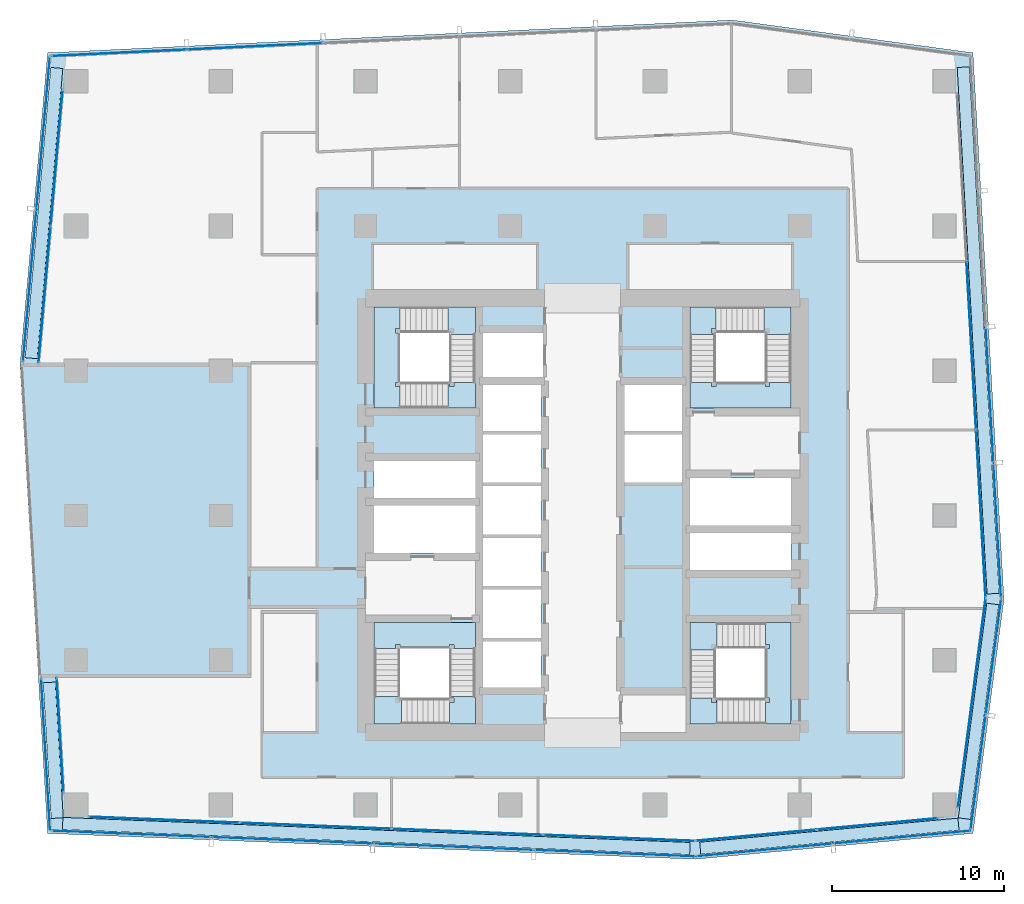
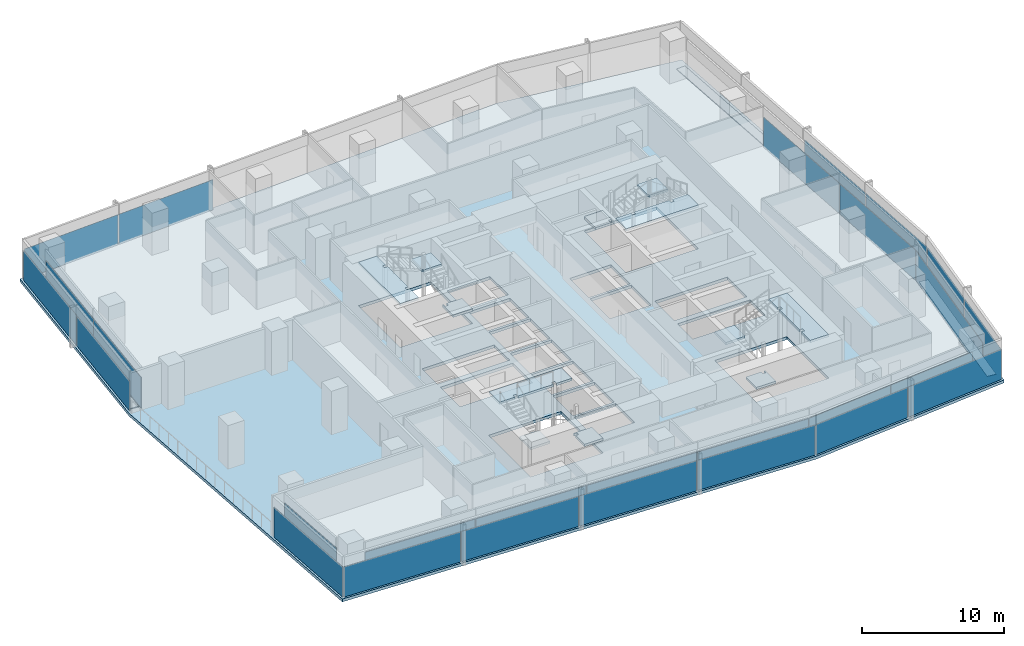
# One storey, part 25 of 39: 33 plates, 13 slabs, 17 elements without a shape of their own.
"""IFC4 building model written with IfcOpenShell, lengths in metres."""

import ifcopenshell
import ifcopenshell.guid

model = None  # the IFC model being written
_history = None  # IfcOwnerHistory: only IFC2X3 demands one
_inside = {}  # id of a spatial element -> (the spatial element, [elements in it])
_under = {}  # id of a project, library or spatial element -> (it, [spatial elements below it])
_declared = {}  # id of a project -> (the project, [libraries it declares])
_typed = {}  # id of a type object -> (the type object, [elements of that type])
_made_of = {}  # id of a material, layer set ... -> (it, [elements and type objects made of it])


def new_model(schema):
    """Start an empty IFC model of exactly this schema.

    Asked for "IFC4X3", IfcOpenShell would pick the latest addendum, in which some entities
    have other attributes; the version numbers below select the first issue.
    IFC2X3 requires an IfcOwnerHistory on every rooted entity: one is made here for all.
    """
    global model, _history
    if schema == "IFC4X3":
        model = ifcopenshell.file(schema_version=(4, 3, 0, 0))
    else:
        model = ifcopenshell.file(schema=schema)
    _inside.clear()
    _under.clear()
    _declared.clear()
    _typed.clear()
    _made_of.clear()
    _history = None
    if model.schema == "IFC2X3":
        org = make("IfcOrganization", Name="unknown")
        user = make(
            "IfcPersonAndOrganization",
            ThePerson=make("IfcPerson", FamilyName="unknown"),
            TheOrganization=org,
        )
        app = make(
            "IfcApplication",
            ApplicationDeveloper=org,
            Version="unknown",
            ApplicationFullName="unknown",
            ApplicationIdentifier="unknown",
        )
        _history = make(
            "IfcOwnerHistory",
            OwningUser=user,
            OwningApplication=app,
            ChangeAction="ADDED",
            CreationDate=0,
        )
    return model


def make(cls, **values):
    """One entity of the class cls with the attributes given. An attribute that is None is left unset."""
    return model.create_entity(
        cls, **{name: value for name, value in values.items() if value is not None}
    )


def rooted(cls, **values):
    """An entity with a GlobalId (a new one), such as an element, a storey or a relation."""
    return make(cls, GlobalId=ifcopenshell.guid.new(), OwnerHistory=_history, **values)


def si_unit(unit_type, name, prefix=None):
    """IfcSIUnit, for example si_unit("LENGTHUNIT", "METRE", prefix="MILLI")."""
    return make("IfcSIUnit", UnitType=unit_type, Prefix=prefix, Name=name)


def assignment(units):
    """IfcUnitAssignment: the units of a project."""
    return None if units is None else make("IfcUnitAssignment", Units=units)


def point(xyz):
    """IfcCartesianPoint."""
    return None if xyz is None else make("IfcCartesianPoint", Coordinates=xyz)


def direction(xyz):
    """IfcDirection."""
    return None if xyz is None else make("IfcDirection", DirectionRatios=xyz)


def frame(location, z_axis=None, x_axis=None):
    """IfcAxis2Placement3D, a coordinate frame: its origin and axes. An axis left out is left unset."""
    return make(
        "IfcAxis2Placement3D",
        Location=point(location),
        Axis=direction(z_axis),
        RefDirection=direction(x_axis),
    )


def frame_2d(location, x_axis=None):
    """IfcAxis2Placement2D, a coordinate frame in the plane: its origin and x axis."""
    return make(
        "IfcAxis2Placement2D", Location=point(location), RefDirection=direction(x_axis)
    )


def origin():
    """The frame at (0, 0, 0) with its axes left unset."""
    return frame((0.0, 0.0, 0.0))


def origin_2d():
    """The frame at (0, 0) in the plane with its x axis left unset."""
    return frame_2d((0.0, 0.0))


def place(relative_to, where):
    """IfcLocalPlacement: puts the frame where relative to a parent placement (None: the world)."""
    return make(
        "IfcLocalPlacement", PlacementRelTo=relative_to, RelativePlacement=where
    )


def context(
    kind, dimensions, precision=None, world=None, true_north=None, identifier=None
):
    """IfcGeometricRepresentationContext, for example the 3D "Model" context."""
    return make(
        "IfcGeometricRepresentationContext",
        ContextIdentifier=identifier,
        ContextType=kind,
        CoordinateSpaceDimension=dimensions,
        Precision=precision,
        WorldCoordinateSystem=world,
        TrueNorth=true_north,
    )


def subcontext(parent, identifier, kind, view, scale=None):
    """IfcGeometricRepresentationSubContext, for example "Body" below "Model"."""
    return make(
        "IfcGeometricRepresentationSubContext",
        ContextIdentifier=identifier,
        ContextType=kind,
        ParentContext=parent,
        TargetScale=scale,
        TargetView=view,
    )


def project(units=None, contexts=None):
    """IfcProject with its units and contexts."""
    return rooted(
        "IfcProject",
        Name="project",
        RepresentationContexts=contexts,
        UnitsInContext=assignment(units),
    )


def spatial(cls, under=None, at=None, **own):
    """A site, building, storey or space (cls), placed at a placement, below another one or the project."""
    s = rooted(cls, ObjectPlacement=at, **own)
    if under is not None:
        _under.setdefault(under.id(), (under, []))[1].append(s)
    return s


def polyline(points):
    """IfcPolyline through the points."""
    return make("IfcPolyline", Points=[point(p) for p in points])


def profile(cls, at=None, kind="AREA", **sizes):
    """A parametric profile (cls). Its sizes go by their IFC names, for example OverallWidth=200.0."""
    return make(cls, ProfileType=kind, Position=at, **sizes)


def rectangle(**sizes):
    """IfcRectangleProfileDef."""
    return profile("IfcRectangleProfileDef", **sizes)


def outline(outer, holes=None, kind="AREA"):
    """IfcArbitraryClosedProfileDef: a profile drawn as a closed curve; with holes, ...WithVoids."""
    if holes is None:
        return make("IfcArbitraryClosedProfileDef", ProfileType=kind, OuterCurve=outer)
    return make(
        "IfcArbitraryProfileDefWithVoids",
        ProfileType=kind,
        OuterCurve=outer,
        InnerCurves=holes,
    )


def extrude(swept, where, along, depth):
    """IfcExtrudedAreaSolid: the profile swept, set in the frame where, extruded along a direction by depth."""
    return make(
        "IfcExtrudedAreaSolid",
        SweptArea=swept,
        Position=where,
        ExtrudedDirection=direction(along),
        Depth=depth,
    )


def shape(context_of_items, identifier, shape_type, items):
    """IfcShapeRepresentation: the items that make up one representation, for example the "Body"."""
    return make(
        "IfcShapeRepresentation",
        ContextOfItems=context_of_items,
        RepresentationIdentifier=identifier,
        RepresentationType=shape_type,
        Items=items,
    )


def material(Name=None, Category=None):
    """IfcMaterial."""
    return make("IfcMaterial", Name=Name, Category=Category)


def layer(
    of_material, thickness, ventilated=None, Name=None, Category=None, Priority=None
):
    """IfcMaterialLayer: one layer of a wall or slab, of a material (None: an air gap)."""
    return make(
        "IfcMaterialLayer",
        Material=of_material,
        LayerThickness=thickness,
        IsVentilated=ventilated,
        Name=Name,
        Category=Category,
        Priority=Priority,
    )


def layer_set(layers, Name=None):
    """IfcMaterialLayerSet."""
    return make("IfcMaterialLayerSet", MaterialLayers=layers, LayerSetName=Name)


def made_of(thing, what):
    """Note that an element or type object is made of a material, layer set ...; save() writes the relation."""
    if what is not None:
        _made_of.setdefault(what.id(), (what, []))[1].append(thing)
    return thing


def type_object(cls, material=None, **own):
    """A type object (cls), such as IfcWallType, which elements share."""
    return made_of(rooted(cls, **own), material)


def element(
    cls,
    number,
    at=None,
    inside=None,
    cuts=None,
    type_object=None,
    material=None,
    context=None,
    identifier="Body",
    shape_type=None,
    held_by="IfcProductDefinitionShape",
    body=None,
    shapes=None,
    **own,
):
    """One element of the class cls, such as IfcWall. Its Tag is "e" and its number.

    at: its placement. inside: the storey or other place that contains it. cuts: it is an
    opening in that element (IfcRelVoidsElement). A single representation is given by context,
    identifier, shape_type and body (its items); several are given by shapes. held_by: the class
    of the entity that holds the representations. save() writes the other relations.
    """
    e = rooted(cls, Tag="e%d" % number, ObjectPlacement=at, **own)
    if body is not None:
        shapes = [shape(context, identifier, shape_type, body)]
    if shapes is not None:
        e.Representation = make(held_by, Representations=shapes)
    if inside is not None:
        _inside.setdefault(inside.id(), (inside, []))[1].append(e)
    if cuts is not None:
        rooted(
            "IfcRelVoidsElement", RelatingBuildingElement=cuts, RelatedOpeningElement=e
        )
    if type_object is not None:
        _typed.setdefault(type_object.id(), (type_object, []))[1].append(e)
    return made_of(e, material)


def aggregate(whole, parts):
    """IfcRelAggregates: a whole, such as a stair, and the parts it consists of."""
    return rooted("IfcRelAggregates", RelatingObject=whole, RelatedObjects=parts)


def save(model, path):
    """Write the relations noted so far, then the file.

    IfcRelAggregates (storeys below a building ...), IfcRelContainedInSpatialStructure (elements
    in a storey), IfcRelDefinesByType, IfcRelAssociatesMaterial and IfcRelDeclares: one each for
    every whole, place, type object, material and project.
    """
    for whole, parts in _under.values():
        aggregate(whole, parts)
    for where, things in _inside.values():
        rooted(
            "IfcRelContainedInSpatialStructure",
            RelatedElements=things,
            RelatingStructure=where,
        )
    for kind, things in _typed.values():
        rooted("IfcRelDefinesByType", RelatedObjects=things, RelatingType=kind)
    for what, things in _made_of.values():
        rooted("IfcRelAssociatesMaterial", RelatedObjects=things, RelatingMaterial=what)
    for by, libraries in _declared.values():
        rooted("IfcRelDeclares", RelatingContext=by, RelatedDefinitions=libraries)
    model.write(path)


model = new_model("IFC4")

# Units and contexts
model_context = context("Model", 3, precision=1e-05, world=origin(), true_north=direction((0.0, 1.0)))
body_context = subcontext(model_context, "Body", "Model", "MODEL_VIEW")
ifc_project = project(units=[si_unit("LENGTHUNIT", "METRE"), si_unit("AREAUNIT", "SQUARE_METRE"), si_unit("VOLUMEUNIT", "CUBIC_METRE"), si_unit("PLANEANGLEUNIT", "RADIAN"), si_unit("MASSUNIT", "GRAM", prefix="KILO")], contexts=[model_context])

# Site, building, storey
site_placement = place(None, origin())
site = spatial("IfcSite", under=ifc_project, at=site_placement, CompositionType="ELEMENT")
building_placement = place(site_placement, origin())
building = spatial("IfcBuilding", under=site, at=building_placement, Name="Rekha Terrace Tower", CompositionType="ELEMENT")
storey_placement = place(building_placement, frame((0.0, 0.0, 221.449951171875)))
storey = spatial("IfcBuildingStorey", under=building, at=storey_placement, Name="L56", CompositionType="ELEMENT", Elevation=221.449951171875)

# Curtain wall, plates
ifc_material_1 = material(Name="Aluminium framing", Category="aluminium")
curtain_wall_type_1 = type_object("IfcCurtainWallType", Name="CW1 double skin inner glazing", PredefinedType="USERDEFINED", material=ifc_material_1)
curtain_wall_1_placement = place(storey_placement, origin())
curtain_wall_1 = element("IfcCurtainWall", 1, at=curtain_wall_1_placement, inside=storey, type_object=curtain_wall_type_1, Name="CW1 double skin inner glazing", ObjectType="DOUBLE SKIN INNER GLAZING", PredefinedType="USERDEFINED")
ifc_material_2 = material(Name="Double-glazed low-e unit 32", Category="glass")
ifc_layer_1 = layer(ifc_material_2, 0.031982421875)
ifc_layer_set_1 = layer_set([ifc_layer_1], Name="Double-glazed low-e unit 32")
plate_type_1 = type_object("IfcPlateType", Name="CW1 jumbo vision panel, double-glazed low-e unit 32", PredefinedType="CURTAIN_PANEL", material=ifc_layer_set_1)
plate_1_placement = place(storey_placement, frame((13.51318359375, 15.94091796875, 0.0), z_axis=(0.0, 0.0, 1.0), x_axis=(0.999204775798, -0.039872497061, 0.0)))
plate_1 = element("IfcPlate", 2, at=plate_1_placement, type_object=plate_type_1, Name="CW1 panel 1.1", PredefinedType="CURTAIN_PANEL", context=body_context, shape_type="SweptSolid", body=[
    extrude(rectangle(XDim=8.7138671875, YDim=0.031982421875, at=origin_2d()), origin(), (0.0, 0.0, 1.0), 2.60009765625),
])
plate_2_placement = place(storey_placement, frame((22.301025390625, 15.59033203125, 0.0), z_axis=(0.0, 0.0, 1.0), x_axis=(0.999204775798, -0.039872497061, 0.0)))
plate_2 = element("IfcPlate", 3, at=plate_2_placement, type_object=plate_type_1, Name="CW1 panel 2.1", PredefinedType="CURTAIN_PANEL", context=body_context, shape_type="SweptSolid", body=[
    extrude(rectangle(XDim=8.746337890625, YDim=0.031982421875, at=origin_2d()), origin(), (0.0, 0.0, 1.0), 2.60009765625),
])
plate_3_placement = place(storey_placement, frame((31.10546875, 15.239013671875, 0.0), z_axis=(0.0, 0.0, 1.0), x_axis=(0.999204775798, -0.039872497061, 0.0)))
plate_3 = element("IfcPlate", 4, at=plate_3_placement, type_object=plate_type_1, Name="CW1 panel 3.1", PredefinedType="CURTAIN_PANEL", context=body_context, shape_type="SweptSolid", body=[
    extrude(rectangle(XDim=8.746337890625, YDim=0.031982421875, at=origin_2d()), origin(), (0.0, 0.0, 1.0), 2.60009765625),
])
plate_4_placement = place(storey_placement, frame((39.926025390625, 14.886962890625, 0.0), z_axis=(0.0, 0.0, 1.0), x_axis=(0.999204775798, -0.039872497061, 0.0)))
plate_4 = element("IfcPlate", 5, at=plate_4_placement, type_object=plate_type_1, Name="CW1 panel 4.1", PredefinedType="CURTAIN_PANEL", context=body_context, shape_type="SweptSolid", body=[
    extrude(rectangle(XDim=8.77880859375, YDim=0.031982421875, at=origin_2d()), origin(), (0.0, 0.0, 1.0), 2.60009765625),
])
aggregate(curtain_wall_1, [plate_1, plate_2, plate_3, plate_4])

curtain_wall_2_placement = place(storey_placement, origin())
curtain_wall_2 = element("IfcCurtainWall", 6, at=curtain_wall_2_placement, inside=storey, type_object=curtain_wall_type_1, Name="CW1 double skin inner glazing", ObjectType="DOUBLE SKIN INNER GLAZING", PredefinedType="USERDEFINED")
plate_5_placement = place(storey_placement, frame((47.863037109375, 15.042724609375, 0.0), z_axis=(0.0, 0.0, 1.0), x_axis=(0.995693258742, 0.092708869564, 0.0)))
plate_5 = element("IfcPlate", 7, at=plate_5_placement, type_object=plate_type_1, Name="CW1 panel 1.1", PredefinedType="CURTAIN_PANEL", context=body_context, shape_type="SweptSolid", body=[
    extrude(rectangle(XDim=7.003173828125, YDim=0.031982421875, at=origin_2d()), origin(), (0.0, 0.0, 1.0), 2.60009765625),
])
plate_6_placement = place(storey_placement, frame((54.90087890625, 15.697998046875, 0.0), z_axis=(0.0, 0.0, 1.0), x_axis=(0.995693258742, 0.092708869564, 0.0)))
plate_6 = element("IfcPlate", 8, at=plate_6_placement, type_object=plate_type_1, Name="CW1 panel 2.1", PredefinedType="CURTAIN_PANEL", context=body_context, shape_type="SweptSolid", body=[
    extrude(rectangle(XDim=7.003173828125, YDim=0.031982421875, at=origin_2d()), origin(), (0.0, 0.0, 1.0), 2.60009765625),
])
aggregate(curtain_wall_2, [plate_5, plate_6])

# Curtain wall, plate
curtain_wall_3_placement = place(storey_placement, origin())
curtain_wall_3 = element("IfcCurtainWall", 9, at=curtain_wall_3_placement, inside=storey, type_object=curtain_wall_type_1, Name="CW1 double skin inner glazing", ObjectType="DOUBLE SKIN INNER GLAZING", PredefinedType="USERDEFINED")
plate_7_placement = place(storey_placement, frame((60.38330078125, 22.718505859375, 0.0), z_axis=(0.0, 0.0, 1.0), x_axis=(0.131303603093, 0.991342203185, 0.0)))
plate_7 = element("IfcPlate", 10, at=plate_7_placement, type_object=plate_type_1, Name="CW1 panel 1.1", PredefinedType="CURTAIN_PANEL", context=body_context, shape_type="SweptSolid", body=[
    extrude(rectangle(XDim=12.228759765625, YDim=0.031982421875, at=origin_2d()), origin(), (0.0, 0.0, 1.0), 2.60009765625),
])
aggregate(curtain_wall_3, [plate_7])

# Curtain wall, plates
curtain_wall_4_placement = place(storey_placement, origin())
curtain_wall_4 = element("IfcCurtainWall", 11, at=curtain_wall_4_placement, inside=storey, type_object=curtain_wall_type_1, Name="CW1 double skin inner glazing", ObjectType="DOUBLE SKIN INNER GLAZING", PredefinedType="USERDEFINED")
plate_8_placement = place(storey_placement, frame((60.90771484375, 33.68408203125, 0.0), z_axis=(0.0, 0.0, 1.0), x_axis=(-0.05667319486, 0.998392782919, 0.0)))
plate_8 = element("IfcPlate", 12, at=plate_8_placement, type_object=plate_type_1, Name="CW1 panel 1.1", PredefinedType="CURTAIN_PANEL", context=body_context, shape_type="SweptSolid", body=[
    extrude(rectangle(XDim=9.694091796875, YDim=0.031982421875, at=origin_2d()), origin(), (0.0, 0.0, 1.0), 2.60009765625),
])
plate_9_placement = place(storey_placement, frame((60.353759765625, 43.44384765625, 0.0), z_axis=(0.0, 0.0, 1.0), x_axis=(-0.05667319486, 0.998392782919, 0.0)))
plate_9 = element("IfcPlate", 13, at=plate_9_placement, type_object=plate_type_1, Name="CW1 panel 2.1", PredefinedType="CURTAIN_PANEL", context=body_context, shape_type="SweptSolid", body=[
    extrude(rectangle(XDim=9.7265625, YDim=0.031982421875, at=origin_2d()), origin(), (0.0, 0.0, 1.0), 2.60009765625),
])
aggregate(curtain_wall_4, [plate_8, plate_9])

curtain_wall_5_placement = place(storey_placement, origin())
curtain_wall_5 = element("IfcCurtainWall", 14, at=curtain_wall_5_placement, inside=storey, type_object=curtain_wall_type_1, Name="CW1 double skin inner glazing", ObjectType="DOUBLE SKIN INNER GLAZING", PredefinedType="USERDEFINED")
plate_10_placement = place(storey_placement, frame((7.275634765625, 54.3525390625, 0.0), z_axis=(0.0, 0.0, 1.0), x_axis=(-0.087957985505, -0.996124185424, 0.0)))
plate_10 = element("IfcPlate", 15, at=plate_10_placement, type_object=plate_type_1, Name="CW1 panel 1.1", PredefinedType="CURTAIN_PANEL", context=body_context, shape_type="SweptSolid", body=[
    extrude(rectangle(XDim=7.89404296875, YDim=0.031982421875, at=origin_2d()), origin(), (0.0, 0.0, 1.0), 2.60009765625),
])
plate_11_placement = place(storey_placement, frame((6.57568359375, 46.424560546875, 0.0), z_axis=(0.0, 0.0, 1.0), x_axis=(-0.087957985505, -0.996124185424, 0.0)))
plate_11 = element("IfcPlate", 16, at=plate_11_placement, type_object=plate_type_1, Name="CW1 panel 2.1", PredefinedType="CURTAIN_PANEL", context=body_context, shape_type="SweptSolid", body=[
    extrude(rectangle(XDim=7.89404296875, YDim=0.031982421875, at=origin_2d()), origin(), (0.0, 0.0, 1.0), 2.60009765625),
])
aggregate(curtain_wall_5, [plate_10, plate_11])

# Curtain wall, plate
curtain_wall_6_placement = place(storey_placement, origin())
curtain_wall_6 = element("IfcCurtainWall", 17, at=curtain_wall_6_placement, inside=storey, type_object=curtain_wall_type_1, Name="CW1 double skin inner glazing", ObjectType="DOUBLE SKIN INNER GLAZING", PredefinedType="USERDEFINED")
plate_12_placement = place(storey_placement, frame((7.47607421875, 20.85205078125, 0.0), z_axis=(0.0, 0.0, 1.0), x_axis=(0.058765082429, -0.998271839274, 0.0)))
plate_12 = element("IfcPlate", 18, at=plate_12_placement, type_object=plate_type_1, Name="CW1 panel 1.1", PredefinedType="CURTAIN_PANEL", context=body_context, shape_type="SweptSolid", body=[
    extrude(rectangle(XDim=6.6015625, YDim=0.031982421875, at=origin_2d()), origin(), (0.0, 0.0, 1.0), 2.60009765625),
])
aggregate(curtain_wall_6, [plate_12])

# Curtain wall, plates
curtain_wall_type_2 = type_object("IfcCurtainWallType", Name="CW2 double skin outer glazing", PredefinedType="USERDEFINED", material=ifc_material_1)
curtain_wall_7_placement = place(storey_placement, origin())
curtain_wall_7 = element("IfcCurtainWall", 19, at=curtain_wall_7_placement, inside=storey, type_object=curtain_wall_type_2, Name="CW2 double skin outer glazing", ObjectType="DOUBLE SKIN OUTER GLAZING", PredefinedType="USERDEFINED")
ifc_material_3 = material(Name="Toughened single glazing 12", Category="glass")
ifc_layer_2 = layer(ifc_material_3, 0.011962890625)
ifc_layer_set_2 = layer_set([ifc_layer_2], Name="Toughened single glazing 12")
plate_type_2 = type_object("IfcPlateType", Name="CW2 jumbo vision panel, toughened single glazing 12", PredefinedType="CURTAIN_PANEL", material=ifc_layer_set_2)
plate_13_placement = place(storey_placement, frame((11.6005859375, 15.116455078125, 0.0), z_axis=(0.0, 0.0, 1.0), x_axis=(0.999204775799, -0.039872497044, 0.0)))
plate_13 = element("IfcPlate", 20, at=plate_13_placement, type_object=plate_type_2, Name="CW2 panel 1.1", PredefinedType="CURTAIN_PANEL", context=body_context, shape_type="SweptSolid", body=[
    extrude(rectangle(XDim=9.24609375, YDim=0.011962890625, at=origin_2d()), origin(), (0.0, 0.0, 1.0), 2.60009765625),
])
plate_14_placement = place(storey_placement, frame((20.939208984375, 14.743896484375, 0.0), z_axis=(0.0, 0.0, 1.0), x_axis=(0.999204775799, -0.039872497044, 0.0)))
plate_14 = element("IfcPlate", 21, at=plate_14_placement, type_object=plate_type_2, Name="CW2 panel 2.1", PredefinedType="CURTAIN_PANEL", context=body_context, shape_type="SweptSolid", body=[
    extrude(rectangle(XDim=9.2861328125, YDim=0.011962890625, at=origin_2d()), origin(), (0.0, 0.0, 1.0), 2.60009765625),
])
plate_15_placement = place(storey_placement, frame((30.2978515625, 14.370361328125, 0.0), z_axis=(0.0, 0.0, 1.0), x_axis=(0.999204775799, -0.039872497044, 0.0)))
plate_15 = element("IfcPlate", 22, at=plate_15_placement, type_object=plate_type_2, Name="CW2 panel 3.1", PredefinedType="CURTAIN_PANEL", context=body_context, shape_type="SweptSolid", body=[
    extrude(rectangle(XDim=9.2861328125, YDim=0.011962890625, at=origin_2d()), origin(), (0.0, 0.0, 1.0), 2.60009765625),
])
plate_16_placement = place(storey_placement, frame((39.676513671875, 13.996337890625, 0.0), z_axis=(0.0, 0.0, 1.0), x_axis=(0.999204775799, -0.039872497044, 0.0)))
plate_16 = element("IfcPlate", 23, at=plate_16_placement, type_object=plate_type_2, Name="CW2 panel 4.1", PredefinedType="CURTAIN_PANEL", context=body_context, shape_type="SweptSolid", body=[
    extrude(rectangle(XDim=9.326171875, YDim=0.011962890625, at=origin_2d()), origin(), (0.0, 0.0, 1.0), 2.60009765625),
])
aggregate(curtain_wall_7, [plate_13, plate_14, plate_15, plate_16])

curtain_wall_8_placement = place(storey_placement, origin())
curtain_wall_8 = element("IfcCurtainWall", 24, at=curtain_wall_8_placement, inside=storey, type_object=curtain_wall_type_2, Name="CW2 double skin outer glazing", ObjectType="DOUBLE SKIN OUTER GLAZING", PredefinedType="USERDEFINED")
plate_17_placement = place(storey_placement, frame((48.348876953125, 14.183837890625, 0.0), z_axis=(0.0, 0.0, 1.0), x_axis=(0.995693258747, 0.092708869512, 0.0)))
plate_17 = element("IfcPlate", 25, at=plate_17_placement, type_object=plate_type_2, Name="CW2 panel 1.1", PredefinedType="CURTAIN_PANEL", context=body_context, shape_type="SweptSolid", body=[
    extrude(rectangle(XDim=7.900634765625, YDim=0.011962890625, at=origin_2d()), origin(), (0.0, 0.0, 1.0), 2.60009765625),
])
plate_18_placement = place(storey_placement, frame((56.3349609375, 14.927490234375, 0.0), z_axis=(0.0, 0.0, 1.0), x_axis=(0.995693258747, 0.092708869512, 0.0)))
plate_18 = element("IfcPlate", 26, at=plate_18_placement, type_object=plate_type_2, Name="CW2 panel 2.1", PredefinedType="CURTAIN_PANEL", context=body_context, shape_type="SweptSolid", body=[
    extrude(rectangle(XDim=7.980712890625, YDim=0.011962890625, at=origin_2d()), origin(), (0.0, 0.0, 1.0), 2.60009765625),
])
aggregate(curtain_wall_8, [plate_17, plate_18])

curtain_wall_9_placement = place(storey_placement, origin())
curtain_wall_9 = element("IfcCurtainWall", 27, at=curtain_wall_9_placement, inside=storey, type_object=curtain_wall_type_2, Name="CW2 double skin outer glazing", ObjectType="DOUBLE SKIN OUTER GLAZING", PredefinedType="USERDEFINED")
plate_19_placement = place(storey_placement, frame((60.756103515625, 18.679443359375, 0.0), z_axis=(0.0, 0.0, 1.0), x_axis=(0.131303603075, 0.991342203187, 0.0)))
plate_19 = element("IfcPlate", 28, at=plate_19_placement, type_object=plate_type_2, Name="CW2 panel 1.1", PredefinedType="CURTAIN_PANEL", context=body_context, shape_type="SweptSolid", body=[
    extrude(rectangle(XDim=6.6630859375, YDim=0.011962890625, at=origin_2d()), origin(), (0.0, 0.0, 1.0), 2.60009765625),
])
plate_20_placement = place(storey_placement, frame((61.646728515625, 25.40380859375, 0.0), z_axis=(0.0, 0.0, 1.0), x_axis=(0.131303603075, 0.991342203187, 0.0)))
plate_20 = element("IfcPlate", 29, at=plate_20_placement, type_object=plate_type_2, Name="CW2 panel 2.1", PredefinedType="CURTAIN_PANEL", context=body_context, shape_type="SweptSolid", body=[
    extrude(rectangle(XDim=6.742919921875, YDim=0.011962890625, at=origin_2d()), origin(), (0.0, 0.0, 1.0), 2.60009765625),
])
aggregate(curtain_wall_9, [plate_19, plate_20])

curtain_wall_10_placement = place(storey_placement, origin())
curtain_wall_10 = element("IfcCurtainWall", 30, at=curtain_wall_10_placement, inside=storey, type_object=curtain_wall_type_2, Name="CW2 double skin outer glazing", ObjectType="DOUBLE SKIN OUTER GLAZING", PredefinedType="USERDEFINED")
plate_21_placement = place(storey_placement, frame((61.8642578125, 32.71142578125, 0.0), z_axis=(0.0, 0.0, 1.0), x_axis=(-0.05667319486, 0.998392782919, 0.0)))
plate_21 = element("IfcPlate", 31, at=plate_21_placement, type_object=plate_type_2, Name="CW2 panel 1.1", PredefinedType="CURTAIN_PANEL", context=body_context, shape_type="SweptSolid", body=[
    extrude(rectangle(XDim=7.783447265625, YDim=0.011962890625, at=origin_2d()), origin(), (0.0, 0.0, 1.0), 2.60009765625),
])
plate_22_placement = place(storey_placement, frame((61.41748046875, 40.582275390625, 0.0), z_axis=(0.0, 0.0, 1.0), x_axis=(-0.05667319486, 0.998392782919, 0.0)))
plate_22 = element("IfcPlate", 32, at=plate_22_placement, type_object=plate_type_2, Name="CW2 panel 2.1", PredefinedType="CURTAIN_PANEL", context=body_context, shape_type="SweptSolid", body=[
    extrude(rectangle(XDim=7.823486328125, YDim=0.011962890625, at=origin_2d()), origin(), (0.0, 0.0, 1.0), 2.60009765625),
])
aggregate(curtain_wall_10, [plate_21, plate_22])

curtain_wall_11_placement = place(storey_placement, origin())
curtain_wall_11 = element("IfcCurtainWall", 33, at=curtain_wall_11_placement, inside=storey, type_object=curtain_wall_type_2, Name="CW2 double skin outer glazing", ObjectType="DOUBLE SKIN OUTER GLAZING", PredefinedType="USERDEFINED")
plate_23_placement = place(storey_placement, frame((6.5009765625, 55.809814453125, 0.0), z_axis=(0.0, 0.0, 1.0), x_axis=(-0.087957985453, -0.996124185428, 0.0)))
plate_23 = element("IfcPlate", 34, at=plate_23_placement, type_object=plate_type_2, Name="CW2 panel 1.1", PredefinedType="CURTAIN_PANEL", context=body_context, shape_type="SweptSolid", body=[
    extrude(rectangle(XDim=8.84912109375, YDim=0.011962890625, at=origin_2d()), origin(), (0.0, 0.0, 1.0), 2.60009765625),
])
plate_24_placement = place(storey_placement, frame((5.715576171875, 46.9150390625, 0.0), z_axis=(0.0, 0.0, 1.0), x_axis=(-0.087957985453, -0.996124185428, 0.0)))
plate_24 = element("IfcPlate", 35, at=plate_24_placement, type_object=plate_type_2, Name="CW2 panel 2.1", PredefinedType="CURTAIN_PANEL", context=body_context, shape_type="SweptSolid", body=[
    extrude(rectangle(XDim=8.84912109375, YDim=0.011962890625, at=origin_2d()), origin(), (0.0, 0.0, 1.0), 2.60009765625),
])
aggregate(curtain_wall_11, [plate_23, plate_24])

# Curtain wall, plate
curtain_wall_12_placement = place(storey_placement, origin())
curtain_wall_12 = element("IfcCurtainWall", 36, at=curtain_wall_12_placement, inside=storey, type_object=curtain_wall_type_2, Name="CW2 double skin outer glazing", ObjectType="DOUBLE SKIN OUTER GLAZING", PredefinedType="USERDEFINED")
plate_25_placement = place(storey_placement, frame((6.641357421875, 19.718017578125, 0.0), z_axis=(0.0, 0.0, 1.0), x_axis=(0.058765082534, -0.998271839268, 0.0)))
plate_25 = element("IfcPlate", 37, at=plate_25_placement, type_object=plate_type_2, Name="CW2 panel 1.1", PredefinedType="CURTAIN_PANEL", context=body_context, shape_type="SweptSolid", body=[
    extrude(rectangle(XDim=8.84326171875, YDim=0.011962890625, at=origin_2d()), origin(), (0.0, 0.0, 1.0), 2.60009765625),
])
aggregate(curtain_wall_12, [plate_25])

# Curtain wall, plates
curtain_wall_type_3 = type_object("IfcCurtainWallType", Name="CW3 north unitised glazing", PredefinedType="USERDEFINED", material=ifc_material_1)
curtain_wall_13_placement = place(storey_placement, origin())
curtain_wall_13 = element("IfcCurtainWall", 38, at=curtain_wall_13_placement, inside=storey, type_object=curtain_wall_type_3, Name="CW3 unitised curtain wall", ObjectType="UNITISED CURTAIN WALL", PredefinedType="USERDEFINED")
ifc_material_4 = material(Name="Double-glazed unit 28", Category="glass")
ifc_layer_3 = layer(ifc_material_4, 0.028076171875)
ifc_layer_set_3 = layer_set([ifc_layer_3], Name="Double-glazed unit 28")
plate_type_3 = type_object("IfcPlateType", Name="CW3 jumbo vision panel, double-glazed unit 28", PredefinedType="CURTAIN_PANEL", material=ifc_layer_set_3)
plate_26_placement = place(storey_placement, frame((18.79736328125, 60.82568359375, 0.0), z_axis=(0.0, 0.0, 1.0), x_axis=(-0.998858906204, -0.047758616983, 0.0)))
plate_26 = element("IfcPlate", 39, at=plate_26_placement, type_object=plate_type_3, Name="CW3 panel 4.1", PredefinedType="CURTAIN_PANEL", context=body_context, shape_type="SweptSolid", body=[
    extrude(rectangle(XDim=7.84814453125, YDim=0.028076171875, at=origin_2d()), origin(), (0.0, 0.0, 1.0), 2.60009765625),
])
plate_27_placement = place(storey_placement, frame((10.906005859375, 60.448486328125, 0.0), z_axis=(0.0, 0.0, 1.0), x_axis=(-0.998858906204, -0.047758616983, 0.0)))
plate_27 = element("IfcPlate", 40, at=plate_27_placement, type_object=plate_type_3, Name="CW3 panel 5.1", PredefinedType="CURTAIN_PANEL", context=body_context, shape_type="SweptSolid", body=[
    extrude(rectangle(XDim=7.81298828125, YDim=0.028076171875, at=origin_2d()), origin(), (0.0, 0.0, 1.0), 2.60009765625),
])
aggregate(curtain_wall_13, [plate_26, plate_27])

# Plates
ifc_material_5 = material(Name="Galvanised steel open grating", Category="steel")
ifc_layer_4 = layer(ifc_material_5, 0.050048828125)
ifc_layer_set_4 = layer_set([ifc_layer_4], Name="Galvanised steel open grating")
plate_type_4 = type_object("IfcPlateType", Name="GT1 cavity walkway grating 50", PredefinedType="USERDEFINED", material=ifc_layer_set_4)
plate_28_placement = place(storey_placement, frame((25.8251953125, 14.999267578125, 0.0), z_axis=(0.0, 0.0, 1.0), x_axis=(0.999204775799, -0.039872497044, 0.0)))
element("IfcPlate", 41, at=plate_28_placement, inside=storey, type_object=plate_type_4, Name="Cavity walkway grating", ObjectType="CAVITY WALKWAY GRATING", PredefinedType="USERDEFINED", context=body_context, shape_type="SweptSolid", body=[
    extrude(rectangle(XDim=36.4267578125, YDim=0.705078125, at=origin_2d()), origin(), (0.0, 0.0, 1.0), 0.050048828125),
])
plate_29_placement = place(storey_placement, frame((52.116455078125, 14.98681640625, 0.0), z_axis=(0.0, 0.0, 1.0), x_axis=(0.995693258745, 0.092708869529, 0.0)))
element("IfcPlate", 42, at=plate_29_placement, inside=storey, type_object=plate_type_4, Name="Cavity walkway grating", ObjectType="CAVITY WALKWAY GRATING", PredefinedType="USERDEFINED", context=body_context, shape_type="SweptSolid", body=[
    extrude(rectangle(XDim=15.052734375, YDim=0.705078125, at=origin_2d()), origin(), (0.0, 0.0, 1.0), 0.050048828125),
])
plate_30_placement = place(storey_placement, frame((60.7734375, 22.237548828125, 0.0), z_axis=(0.0, 0.0, 1.0), x_axis=(0.131303603075, 0.991342203187, 0.0)))
element("IfcPlate", 43, at=plate_30_placement, inside=storey, type_object=plate_type_4, Name="Cavity walkway grating", ObjectType="CAVITY WALKWAY GRATING", PredefinedType="USERDEFINED", context=body_context, shape_type="SweptSolid", body=[
    extrude(rectangle(XDim=12.564697265625, YDim=0.705078125, at=origin_2d()), origin(), (0.0, 0.0, 1.0), 0.050048828125),
])
plate_31_placement = place(storey_placement, frame((60.753662109375, 44.338134765625, 0.0), z_axis=(0.0, 0.0, 1.0), x_axis=(-0.05667319486, 0.998392782919, 0.0)))
element("IfcPlate", 44, at=plate_31_placement, inside=storey, type_object=plate_type_4, Name="Cavity walkway grating", ObjectType="CAVITY WALKWAY GRATING", PredefinedType="USERDEFINED", context=body_context, shape_type="SweptSolid", body=[
    extrude(rectangle(XDim=30.6005859375, YDim=0.705078125, at=origin_2d()), origin(), (0.0, 0.0, 1.0), 0.050048828125),
])
plate_32_placement = place(storey_placement, frame((6.541015625, 51.14697265625, 0.0), z_axis=(0.0, 0.0, 1.0), x_axis=(-0.087957985471, -0.996124185427, 0.0)))
element("IfcPlate", 45, at=plate_32_placement, inside=storey, type_object=plate_type_4, Name="Cavity walkway grating", ObjectType="CAVITY WALKWAY GRATING", PredefinedType="USERDEFINED", context=body_context, shape_type="SweptSolid", body=[
    extrude(rectangle(XDim=16.906005859375, YDim=0.705078125, at=origin_2d()), origin(), (0.0, 0.0, 1.0), 0.050048828125),
])
plate_33_placement = place(storey_placement, frame((7.0771484375, 19.974853515625, 0.0), z_axis=(0.0, 0.0, 1.0), x_axis=(0.058765082516, -0.998271839269, 0.0)))
element("IfcPlate", 46, at=plate_33_placement, inside=storey, type_object=plate_type_4, Name="Cavity walkway grating", ObjectType="CAVITY WALKWAY GRATING", PredefinedType="USERDEFINED", context=body_context, shape_type="SweptSolid", body=[
    extrude(rectangle(XDim=7.88916015625, YDim=0.705078125, at=origin_2d()), origin(), (0.0, 0.0, 1.0), 0.050048828125),
])

# Stair, slabs
ifc_material_6 = material(Name="Concrete M40", Category="concrete")
stair_type = type_object("IfcStairType", Name="ST30 stair, 30 risers of 125, going 310, 1500 wide flights, 3 flights", PredefinedType="HALF_TURN_STAIR", material=ifc_material_6)
stair_1_placement = place(storey_placement, origin())
stair_1 = element("IfcStair", 47, at=stair_1_placement, inside=storey, type_object=stair_type, Name="Stair ST1 L56 to L57", PredefinedType="HALF_TURN_STAIR")
ifc_layer_5 = layer(ifc_material_6, 0.199951171875)
ifc_layer_set_5 = layer_set([ifc_layer_5], Name="Concrete M40")
slab_type_1 = type_object("IfcSlabType", Name="LD1 200 concrete stair landing", PredefinedType="LANDING", material=ifc_layer_set_5)
slab_1_placement = place(storey_placement, frame((0.0, 0.0, 1.050048828125)))
slab_1 = element("IfcSlab", 48, at=slab_1_placement, type_object=slab_type_1, Name="ST1 landing 1", PredefinedType="LANDING", context=body_context, shape_type="SweptSolid", body=[
    extrude(outline(polyline([(30.074951171875, 21.5), (31.574951171875, 21.5), (31.574951171875, 23.0849609375), (30.074951171875, 23.0849609375), (30.074951171875, 23.0), (30.324951171875, 23.0), (30.324951171875, 22.75), (30.074951171875, 22.75), (30.074951171875, 21.5)])), origin(), (0.0, 0.0, 1.0), 0.199951171875),
])
slab_2_placement = place(storey_placement, frame((0.0, 0.0, 2.300048828125)))
slab_2 = element("IfcSlab", 49, at=slab_2_placement, type_object=slab_type_1, Name="ST1 landing 2", PredefinedType="LANDING", context=body_context, shape_type="SweptSolid", body=[
    extrude(outline(polyline([(27.199951171875, 23.0849609375), (25.699951171875, 23.0849609375), (25.699951171875, 21.5), (27.284912109375, 21.5), (27.284912109375, 23.0), (27.199951171875, 23.0), (27.199951171875, 23.0849609375)])), origin(), (0.0, 0.0, 1.0), 0.199951171875),
])
slab_3_placement = place(storey_placement, frame((0.0, 0.0, 3.550048828125)))
slab_3 = element("IfcSlab", 50, at=slab_3_placement, type_object=slab_type_1, Name="ST1 landing 3", PredefinedType="LANDING", context=body_context, shape_type="SweptSolid", body=[
    extrude(outline(polyline([(31.574951171875, 25.875), (31.574951171875, 27.375), (25.699951171875, 27.375), (25.699951171875, 25.875), (26.949951171875, 25.875), (26.949951171875, 26.125), (27.199951171875, 26.125), (27.199951171875, 25.875), (30.074951171875, 25.875), (30.074951171875, 26.125), (30.324951171875, 26.125), (30.324951171875, 25.875), (31.574951171875, 25.875)])), origin(), (0.0, 0.0, 1.0), 0.199951171875),
])
aggregate(stair_1, [slab_1, slab_2, slab_3])

stair_2_placement = place(storey_placement, origin())
stair_2 = element("IfcStair", 51, at=stair_2_placement, inside=storey, type_object=stair_type, Name="Stair ST2 L56 to L57", PredefinedType="HALF_TURN_STAIR")
slab_4_placement = place(storey_placement, frame((0.0, 0.0, 1.050048828125)))
slab_4 = element("IfcSlab", 52, at=slab_4_placement, type_object=slab_type_1, Name="ST2 landing 1", PredefinedType="LANDING", context=body_context, shape_type="SweptSolid", body=[
    extrude(outline(polyline([(45.52490234375, 45.699951171875), (44.02490234375, 45.699951171875), (44.02490234375, 44.114990234375), (45.52490234375, 44.114990234375), (45.52490234375, 44.199951171875), (45.27490234375, 44.199951171875), (45.27490234375, 44.449951171875), (45.52490234375, 44.449951171875), (45.52490234375, 45.699951171875)])), origin(), (0.0, 0.0, 1.0), 0.199951171875),
])
slab_5_placement = place(storey_placement, frame((0.0, 0.0, 2.300048828125)))
slab_5 = element("IfcSlab", 53, at=slab_5_placement, type_object=slab_type_1, Name="ST2 landing 2", PredefinedType="LANDING", context=body_context, shape_type="SweptSolid", body=[
    extrude(outline(polyline([(48.39990234375, 44.114990234375), (49.89990234375, 44.114990234375), (49.89990234375, 45.699951171875), (48.31494140625, 45.699951171875), (48.31494140625, 44.199951171875), (48.39990234375, 44.199951171875), (48.39990234375, 44.114990234375)])), origin(), (0.0, 0.0, 1.0), 0.199951171875),
])
slab_6_placement = place(storey_placement, frame((0.0, 0.0, 3.550048828125)))
slab_6 = element("IfcSlab", 54, at=slab_6_placement, type_object=slab_type_1, Name="ST2 landing 3", PredefinedType="LANDING", context=body_context, shape_type="SweptSolid", body=[
    extrude(outline(polyline([(44.02490234375, 41.324951171875), (44.02490234375, 39.824951171875), (49.89990234375, 39.824951171875), (49.89990234375, 41.324951171875), (48.64990234375, 41.324951171875), (48.64990234375, 41.074951171875), (48.39990234375, 41.074951171875), (48.39990234375, 41.324951171875), (45.52490234375, 41.324951171875), (45.52490234375, 41.074951171875), (45.27490234375, 41.074951171875), (45.27490234375, 41.324951171875), (44.02490234375, 41.324951171875)])), origin(), (0.0, 0.0, 1.0), 0.199951171875),
])
aggregate(stair_2, [slab_4, slab_5, slab_6])

stair_3_placement = place(storey_placement, origin())
stair_3 = element("IfcStair", 55, at=stair_3_placement, inside=storey, type_object=stair_type, Name="Stair ST3 L56 to L57", PredefinedType="HALF_TURN_STAIR")
slab_7_placement = place(storey_placement, frame((0.0, 0.0, 1.050048828125)))
slab_7 = element("IfcSlab", 56, at=slab_7_placement, type_object=slab_type_1, Name="ST3 landing 1", PredefinedType="LANDING", context=body_context, shape_type="SweptSolid", body=[
    extrude(outline(polyline([(44.02490234375, 23.0), (44.02490234375, 21.5), (45.610107421875, 21.5), (45.610107421875, 23.0), (45.52490234375, 23.0), (45.52490234375, 22.75), (45.27490234375, 22.75), (45.27490234375, 23.0), (44.02490234375, 23.0)])), origin(), (0.0, 0.0, 1.0), 0.199951171875),
])
slab_8_placement = place(storey_placement, frame((0.0, 0.0, 2.300048828125)))
slab_8 = element("IfcSlab", 57, at=slab_8_placement, type_object=slab_type_1, Name="ST3 landing 2", PredefinedType="LANDING", context=body_context, shape_type="SweptSolid", body=[
    extrude(outline(polyline([(45.610107421875, 25.875), (45.610107421875, 27.375), (44.02490234375, 27.375), (44.02490234375, 25.7900390625), (45.52490234375, 25.7900390625), (45.52490234375, 25.875), (45.610107421875, 25.875)])), origin(), (0.0, 0.0, 1.0), 0.199951171875),
])
slab_9_placement = place(storey_placement, frame((0.0, 0.0, 3.550048828125)))
slab_9 = element("IfcSlab", 58, at=slab_9_placement, type_object=slab_type_1, Name="ST3 landing 3", PredefinedType="LANDING", context=body_context, shape_type="SweptSolid", body=[
    extrude(outline(polyline([(48.39990234375, 21.5), (49.89990234375, 21.5), (49.89990234375, 27.375), (48.39990234375, 27.375), (48.39990234375, 26.125), (48.64990234375, 26.125), (48.64990234375, 25.875), (48.39990234375, 25.875), (48.39990234375, 23.0), (48.64990234375, 23.0), (48.64990234375, 22.75), (48.39990234375, 22.75), (48.39990234375, 21.5)])), origin(), (0.0, 0.0, 1.0), 0.199951171875),
])
aggregate(stair_3, [slab_7, slab_8, slab_9])

stair_4_placement = place(storey_placement, origin())
stair_4 = element("IfcStair", 59, at=stair_4_placement, inside=storey, type_object=stair_type, Name="Stair ST4 L56 to L57", PredefinedType="HALF_TURN_STAIR")
slab_10_placement = place(storey_placement, frame((0.0, 0.0, 1.050048828125)))
slab_10 = element("IfcSlab", 60, at=slab_10_placement, type_object=slab_type_1, Name="ST4 landing 1", PredefinedType="LANDING", context=body_context, shape_type="SweptSolid", body=[
    extrude(outline(polyline([(31.574951171875, 41.324951171875), (31.574951171875, 39.824951171875), (29.989990234375, 39.824951171875), (29.989990234375, 41.324951171875), (30.074951171875, 41.324951171875), (30.074951171875, 41.074951171875), (30.324951171875, 41.074951171875), (30.324951171875, 41.324951171875), (31.574951171875, 41.324951171875)])), origin(), (0.0, 0.0, 1.0), 0.199951171875),
])
slab_11_placement = place(storey_placement, frame((0.0, 0.0, 2.300048828125)))
slab_11 = element("IfcSlab", 61, at=slab_11_placement, type_object=slab_type_1, Name="ST4 landing 2", PredefinedType="LANDING", context=body_context, shape_type="SweptSolid", body=[
    extrude(outline(polyline([(29.989990234375, 44.199951171875), (29.989990234375, 45.699951171875), (31.574951171875, 45.699951171875), (31.574951171875, 44.114990234375), (30.074951171875, 44.114990234375), (30.074951171875, 44.199951171875), (29.989990234375, 44.199951171875)])), origin(), (0.0, 0.0, 1.0), 0.199951171875),
])
slab_12_placement = place(storey_placement, frame((0.0, 0.0, 3.550048828125)))
slab_12 = element("IfcSlab", 62, at=slab_12_placement, type_object=slab_type_1, Name="ST4 landing 3", PredefinedType="LANDING", context=body_context, shape_type="SweptSolid", body=[
    extrude(outline(polyline([(27.199951171875, 39.824951171875), (25.699951171875, 39.824951171875), (25.699951171875, 45.699951171875), (27.199951171875, 45.699951171875), (27.199951171875, 44.449951171875), (26.949951171875, 44.449951171875), (26.949951171875, 44.199951171875), (27.199951171875, 44.199951171875), (27.199951171875, 41.324951171875), (26.949951171875, 41.324951171875), (26.949951171875, 41.074951171875), (27.199951171875, 41.074951171875), (27.199951171875, 39.824951171875)])), origin(), (0.0, 0.0, 1.0), 0.199951171875),
])
aggregate(stair_4, [slab_10, slab_11, slab_12])

# Slab
ifc_material_7 = material(Name="Concrete M50", Category="concrete")
ifc_layer_6 = layer(ifc_material_7, 0.25)
ifc_layer_set_6 = layer_set([ifc_layer_6], Name="Concrete M50")
slab_type_2 = type_object("IfcSlabType", Name="SL4 250 post-tensioned flat plate", PredefinedType="FLOOR", material=ifc_layer_set_6)
slab_13_placement = place(storey_placement, frame((0.0, 0.0, -0.25)))
element("IfcSlab", 63, at=slab_13_placement, inside=storey, type_object=slab_type_2, Name="Post-tensioned flat plate L56", PredefinedType="FLOOR", context=body_context, shape_type="SweptSolid", body=[
    extrude(outline(polyline([(5.14990234375, 42.330078125), (6.75, 15.14990234375), (44.340087890625, 13.64990234375), (60.449951171875, 15.14990234375), (62.25, 28.739990234375), (60.449951171875, 60.449951171875), (46.488037109375, 62.35009765625), (6.75, 60.449951171875), (5.14990234375, 42.330078125)]), holes=[polyline([(31.574951171875, 27.375), (31.574951171875, 21.5), (25.699951171875, 21.5), (25.699951171875, 27.375), (31.574951171875, 27.375)]), polyline([(35.375, 26.300048828125), (35.375, 23.625), (32.02490234375, 23.625), (32.02490234375, 26.300048828125), (35.375, 26.300048828125)]), polyline([(35.375, 29.300048828125), (35.375, 26.5), (32.02490234375, 26.5), (32.02490234375, 29.300048828125), (35.375, 29.300048828125)]), polyline([(35.375, 32.300048828125), (35.375, 29.5), (32.02490234375, 29.5), (32.02490234375, 32.300048828125), (35.375, 32.300048828125)]), polyline([(31.574951171875, 34.175048828125), (31.574951171875, 31.425048828125), (25.699951171875, 31.425048828125), (25.699951171875, 34.175048828125), (31.574951171875, 34.175048828125)]), polyline([(35.375, 35.300048828125), (35.375, 32.5), (32.02490234375, 32.5), (32.02490234375, 35.300048828125), (35.375, 35.300048828125)]), polyline([(31.574951171875, 36.77490234375), (31.574951171875, 34.625), (25.699951171875, 34.625), (25.699951171875, 36.77490234375), (31.574951171875, 36.77490234375)]), polyline([(35.375, 38.300048828125), (35.375, 35.5), (32.02490234375, 35.5), (32.02490234375, 38.300048828125), (35.375, 38.300048828125)]), polyline([(31.574951171875, 45.699951171875), (31.574951171875, 39.824951171875), (25.699951171875, 39.824951171875), (25.699951171875, 45.699951171875), (31.574951171875, 45.699951171875)]), polyline([(49.89990234375, 27.375), (49.89990234375, 21.5), (44.02490234375, 21.5), (44.02490234375, 27.375), (49.89990234375, 27.375)]), polyline([(49.89990234375, 32.574951171875), (49.89990234375, 30.425048828125), (44.02490234375, 30.425048828125), (44.02490234375, 32.574951171875), (49.89990234375, 32.574951171875)]), polyline([(49.89990234375, 35.77490234375), (49.89990234375, 33.02490234375), (44.02490234375, 33.02490234375), (44.02490234375, 35.77490234375), (49.89990234375, 35.77490234375)]), polyline([(43.574951171875, 38.300048828125), (43.574951171875, 35.5), (40.22509765625, 35.5), (40.22509765625, 38.300048828125), (43.574951171875, 38.300048828125)]), polyline([(35.375, 41.175048828125), (35.375, 38.5), (32.02490234375, 38.5), (32.02490234375, 41.175048828125), (35.375, 41.175048828125)]), polyline([(43.574951171875, 41.175048828125), (43.574951171875, 38.5), (40.22509765625, 38.5), (40.22509765625, 41.175048828125), (43.574951171875, 41.175048828125)]), polyline([(49.89990234375, 39.824951171875), (44.02490234375, 39.824951171875), (44.02490234375, 45.699951171875), (49.89990234375, 45.699951171875), (49.89990234375, 39.824951171875)]), polyline([(35.5, 41.625), (32.02490234375, 41.625), (32.02490234375, 44.175048828125), (35.5, 44.175048828125), (35.5, 41.625)])]), origin(), (0.0, 0.0, 1.0), 0.25),
])

save(model, "model.ifc")
